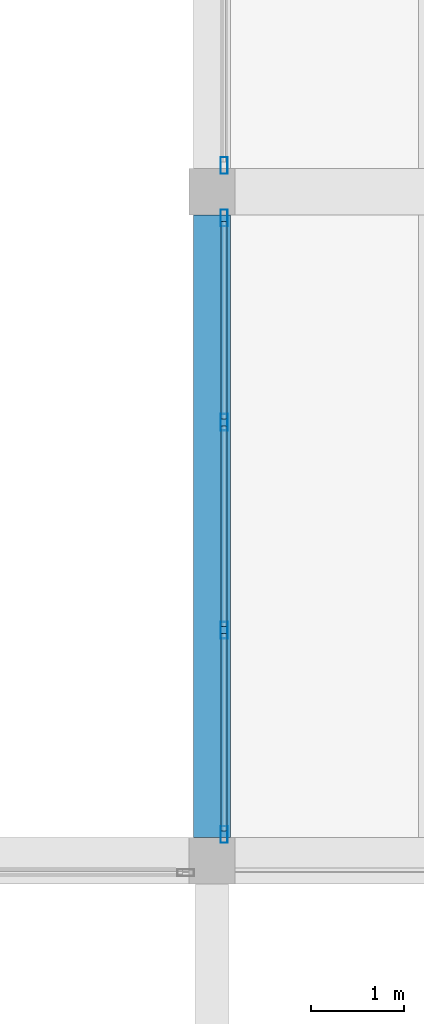
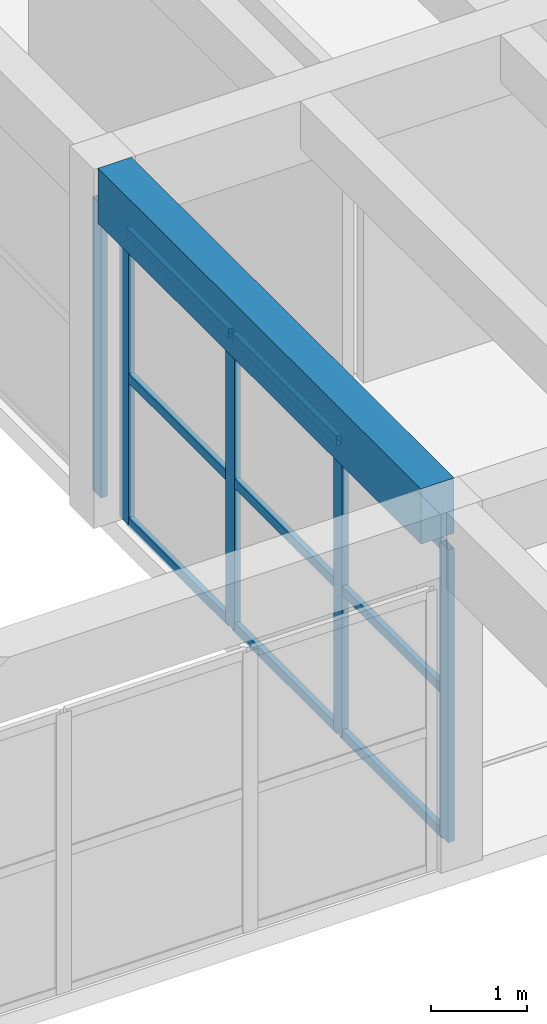
# One storey, part 40 of 153: 14 members, 1 beam, 2 elements without a shape of their own.
"""IFC4 building model written with IfcOpenShell, lengths in metres."""

from ifc_helpers import new_model, si_unit, direction, frame, origin, origin_2d, place, context, subcontext, project, spatial, rectangle, hollow_rectangle, extrude, material, material_profile, profile_set, type_object, element, aggregate, save


model = new_model("IFC4")

# Units and contexts
model_context = context("Model", 3, precision=1e-05, world=origin(), true_north=direction((0.0, 1.0)))
body_context = subcontext(model_context, "Body", "Model", "MODEL_VIEW")
ifc_project = project(units=[si_unit("LENGTHUNIT", "METRE"), si_unit("AREAUNIT", "SQUARE_METRE"), si_unit("VOLUMEUNIT", "CUBIC_METRE"), si_unit("PLANEANGLEUNIT", "RADIAN"), si_unit("MASSUNIT", "GRAM", prefix="KILO")], contexts=[model_context])

# Site, building, storey
site_placement = place(None, origin())
site = spatial("IfcSite", under=ifc_project, at=site_placement, CompositionType="ELEMENT")
building_placement = place(site_placement, origin())
building = spatial("IfcBuilding", under=site, at=building_placement, Name="Bramvelor Terrace Health Centre", CompositionType="ELEMENT")
storey_placement = place(building_placement, frame((0.0, 0.0, 4.800048828125)))
storey = spatial("IfcBuildingStorey", under=building, at=storey_placement, Name="L02", CompositionType="ELEMENT", Elevation=4.800048828125)

# Beam
ifc_material_1 = material(Name="Concrete C40/50", Category="concrete")
ifc_material_profile_1 = material_profile(ifc_material_1, rectangle(XDim=0.39990234375, YDim=0.699951171875, at=origin_2d()), Name="RC 400x700")
ifc_profile_set_1 = profile_set([ifc_material_profile_1], Name="Concrete C40/50")
beam_type = type_object("IfcBeamType", Name="BM-RC-G700", PredefinedType="BEAM", material=ifc_profile_set_1)
beam_placement = place(storey_placement, frame((79.199951171875, 50.64990234375, 4.199951171875), z_axis=(0.0, 1.0, 0.0), x_axis=(-1.0, 0.0, 0.0)))
element("IfcBeam", 1, at=beam_placement, inside=storey, type_object=beam_type, Name="L02 Floor Girder", PredefinedType="BEAM", context=body_context, shape_type="SweptSolid", body=[
    extrude(rectangle(XDim=0.39990234375, YDim=0.699951171875, at=origin_2d()), origin(), (0.0, 0.0, 1.0), 6.7001953125),
])

# Curtain wall, members
ifc_material_2 = material(Name="Anodized aluminium and double low-E glass", Category="aluminium")
curtain_wall_type = type_object("IfcCurtainWallType", Name="CW-SYS-17", PredefinedType="NOTDEFINED", material=ifc_material_2)
curtain_wall_1_placement = place(storey_placement, origin())
curtain_wall_1 = element("IfcCurtainWall", 2, at=curtain_wall_1_placement, inside=storey, type_object=curtain_wall_type, Name="L02 Unitized Curtain Wall 138", PredefinedType="NOTDEFINED")
ifc_material_3 = material(Name="Anodized aluminium 6063-T6", Category="aluminium")
ifc_material_profile_2 = material_profile(ifc_material_3, hollow_rectangle(XDim=0.074951171875, YDim=0.179931640625, WallThickness=0.00341796875, at=origin_2d()), Name="ALU-MUL 75x180x3.5")
ifc_profile_set_2 = profile_set([ifc_material_profile_2], Name="Anodized aluminium 6063-T6")
member_type_1 = type_object("IfcMemberType", Name="CW-MUL-65x180", PredefinedType="MULLION", material=ifc_profile_set_2)
member_1_placement = place(storey_placement, frame((79.330078125, 50.6826171875, 0.0), z_axis=(0.0, 0.0, 1.0), x_axis=(-1.0, 0.0, 0.0)))
member_1 = element("IfcMember", 3, at=member_1_placement, type_object=member_type_1, Name="CW-17 mullion 1", PredefinedType="MULLION", context=body_context, shape_type="SweptSolid", body=[
    extrude(hollow_rectangle(XDim=0.074951171875, YDim=0.179931640625, WallThickness=0.00341796875, at=origin_2d()), origin(), (0.0, 0.0, 1.0), 3.7099609375),
])
member_2_placement = place(storey_placement, frame((79.330078125, 52.881591796875, 0.0), z_axis=(0.0, 0.0, 1.0), x_axis=(-1.0, 0.0, 0.0)))
member_2 = element("IfcMember", 4, at=member_2_placement, type_object=member_type_1, Name="CW-17 mullion 2", PredefinedType="MULLION", context=body_context, shape_type="SweptSolid", body=[
    extrude(hollow_rectangle(XDim=0.074951171875, YDim=0.179931640625, WallThickness=0.00341796875, at=origin_2d()), origin(), (0.0, 0.0, 1.0), 3.7099609375),
])
member_3_placement = place(storey_placement, frame((79.330078125, 55.118408203125, 0.0), z_axis=(0.0, 0.0, 1.0), x_axis=(-1.0, 0.0, 0.0)))
member_3 = element("IfcMember", 5, at=member_3_placement, type_object=member_type_1, Name="CW-17 mullion 3", PredefinedType="MULLION", context=body_context, shape_type="SweptSolid", body=[
    extrude(hollow_rectangle(XDim=0.074951171875, YDim=0.179931640625, WallThickness=0.00341796875, at=origin_2d()), origin(), (0.0, 0.0, 1.0), 3.7099609375),
])
member_4_placement = place(storey_placement, frame((79.330078125, 57.3173828125, 0.0), z_axis=(0.0, 0.0, 1.0), x_axis=(-1.0, 0.0, 0.0)))
member_4 = element("IfcMember", 6, at=member_4_placement, type_object=member_type_1, Name="CW-17 mullion 4", PredefinedType="MULLION", context=body_context, shape_type="SweptSolid", body=[
    extrude(hollow_rectangle(XDim=0.074951171875, YDim=0.179931640625, WallThickness=0.00341796875, at=origin_2d()), origin(), (0.0, 0.0, 1.0), 3.7099609375),
])

# Curtain wall, member
curtain_wall_2_placement = place(storey_placement, origin())
curtain_wall_2 = element("IfcCurtainWall", 7, at=curtain_wall_2_placement, inside=storey, type_object=curtain_wall_type, Name="L02 Unitized Curtain Wall 139", PredefinedType="NOTDEFINED")
member_5_placement = place(storey_placement, frame((79.330078125, 57.882568359375, 0.0), z_axis=(0.0, 0.0, 1.0), x_axis=(-1.0, 0.0, 0.0)))
member_5 = element("IfcMember", 8, at=member_5_placement, type_object=member_type_1, Name="CW-17 mullion 1", PredefinedType="MULLION", context=body_context, shape_type="SweptSolid", body=[
    extrude(hollow_rectangle(XDim=0.074951171875, YDim=0.179931640625, WallThickness=0.00341796875, at=origin_2d()), origin(), (0.0, 0.0, 1.0), 3.7099609375),
])
aggregate(curtain_wall_2, [member_5])

# Member
ifc_material_4 = material(Name="Anodized aluminium 6063-T6", Category="aluminium")
ifc_material_profile_3 = material_profile(ifc_material_4, hollow_rectangle(XDim=0.06494140625, YDim=0.1201171875, WallThickness=0.0029296875, at=origin_2d()), Name="ALU-TRN 65x120x3.0")
ifc_profile_set_3 = profile_set([ifc_material_profile_3], Name="Anodized aluminium 6063-T6")
member_type_2 = type_object("IfcMemberType", Name="CW-TRN-65x150", PredefinedType="USERDEFINED", material=ifc_profile_set_3)
member_6_placement = place(storey_placement, frame((79.330078125, 50.719970703125, 0.032470703125), z_axis=(0.0, 1.0, 0.0), x_axis=(-1.0, 0.0, 0.0)))
member_6 = element("IfcMember", 9, at=member_6_placement, type_object=member_type_2, Name="CW-17 transom 1.1", ObjectType="TRANSOM", PredefinedType="USERDEFINED", context=body_context, shape_type="SweptSolid", body=[
    extrude(hollow_rectangle(XDim=0.06494140625, YDim=0.1201171875, WallThickness=0.0029296875, at=origin_2d()), origin(), (0.0, 0.0, 1.0), 2.124267578125),
])

member_7_placement = place(storey_placement, frame((79.330078125, 50.719970703125, 1.85498046875), z_axis=(0.0, 1.0, 0.0), x_axis=(-1.0, 0.0, 0.0)))
member_7 = element("IfcMember", 10, at=member_7_placement, type_object=member_type_2, Name="CW-17 transom 1.2", ObjectType="TRANSOM", PredefinedType="USERDEFINED", context=body_context, shape_type="SweptSolid", body=[
    extrude(hollow_rectangle(XDim=0.06494140625, YDim=0.1201171875, WallThickness=0.0029296875, at=origin_2d()), origin(), (0.0, 0.0, 1.0), 2.124267578125),
])

member_8_placement = place(storey_placement, frame((79.330078125, 50.719970703125, 3.677490234375), z_axis=(0.0, 1.0, 0.0), x_axis=(-1.0, 0.0, 0.0)))
member_8 = element("IfcMember", 11, at=member_8_placement, type_object=member_type_2, Name="CW-17 transom 1.3", ObjectType="TRANSOM", PredefinedType="USERDEFINED", context=body_context, shape_type="SweptSolid", body=[
    extrude(hollow_rectangle(XDim=0.06494140625, YDim=0.1201171875, WallThickness=0.0029296875, at=origin_2d()), origin(), (0.0, 0.0, 1.0), 2.124267578125),
])

member_9_placement = place(storey_placement, frame((79.330078125, 52.919189453125, 0.032470703125), z_axis=(0.0, 1.0, 0.0), x_axis=(-1.0, 0.0, 0.0)))
member_9 = element("IfcMember", 12, at=member_9_placement, type_object=member_type_2, Name="CW-17 transom 2.1", ObjectType="TRANSOM", PredefinedType="USERDEFINED", context=body_context, shape_type="SweptSolid", body=[
    extrude(hollow_rectangle(XDim=0.06494140625, YDim=0.1201171875, WallThickness=0.0029296875, at=origin_2d()), origin(), (0.0, 0.0, 1.0), 2.16162109375),
])

member_10_placement = place(storey_placement, frame((79.330078125, 52.919189453125, 1.85498046875), z_axis=(0.0, 1.0, 0.0), x_axis=(-1.0, 0.0, 0.0)))
member_10 = element("IfcMember", 13, at=member_10_placement, type_object=member_type_2, Name="CW-17 transom 2.2", ObjectType="TRANSOM", PredefinedType="USERDEFINED", context=body_context, shape_type="SweptSolid", body=[
    extrude(hollow_rectangle(XDim=0.06494140625, YDim=0.1201171875, WallThickness=0.0029296875, at=origin_2d()), origin(), (0.0, 0.0, 1.0), 2.16162109375),
])

member_11_placement = place(storey_placement, frame((79.330078125, 52.919189453125, 3.677490234375), z_axis=(0.0, 1.0, 0.0), x_axis=(-1.0, 0.0, 0.0)))
member_11 = element("IfcMember", 14, at=member_11_placement, type_object=member_type_2, Name="CW-17 transom 2.3", ObjectType="TRANSOM", PredefinedType="USERDEFINED", context=body_context, shape_type="SweptSolid", body=[
    extrude(hollow_rectangle(XDim=0.06494140625, YDim=0.1201171875, WallThickness=0.0029296875, at=origin_2d()), origin(), (0.0, 0.0, 1.0), 2.16162109375),
])

member_12_placement = place(storey_placement, frame((79.330078125, 55.15576171875, 0.032470703125), z_axis=(0.0, 1.0, 0.0), x_axis=(-1.0, 0.0, 0.0)))
member_12 = element("IfcMember", 15, at=member_12_placement, type_object=member_type_2, Name="CW-17 transom 3.1", ObjectType="TRANSOM", PredefinedType="USERDEFINED", context=body_context, shape_type="SweptSolid", body=[
    extrude(hollow_rectangle(XDim=0.06494140625, YDim=0.1201171875, WallThickness=0.0029296875, at=origin_2d()), origin(), (0.0, 0.0, 1.0), 2.124267578125),
])

member_13_placement = place(storey_placement, frame((79.330078125, 55.15576171875, 1.85498046875), z_axis=(0.0, 1.0, 0.0), x_axis=(-1.0, 0.0, 0.0)))
member_13 = element("IfcMember", 16, at=member_13_placement, type_object=member_type_2, Name="CW-17 transom 3.2", ObjectType="TRANSOM", PredefinedType="USERDEFINED", context=body_context, shape_type="SweptSolid", body=[
    extrude(hollow_rectangle(XDim=0.06494140625, YDim=0.1201171875, WallThickness=0.0029296875, at=origin_2d()), origin(), (0.0, 0.0, 1.0), 2.124267578125),
])

member_14_placement = place(storey_placement, frame((79.330078125, 55.15576171875, 3.677490234375), z_axis=(0.0, 1.0, 0.0), x_axis=(-1.0, 0.0, 0.0)))
member_14 = element("IfcMember", 17, at=member_14_placement, type_object=member_type_2, Name="CW-17 transom 3.3", ObjectType="TRANSOM", PredefinedType="USERDEFINED", context=body_context, shape_type="SweptSolid", body=[
    extrude(hollow_rectangle(XDim=0.06494140625, YDim=0.1201171875, WallThickness=0.0029296875, at=origin_2d()), origin(), (0.0, 0.0, 1.0), 2.124267578125),
])

aggregate(curtain_wall_1, [member_1, member_2, member_3, member_4, member_6, member_7, member_8, member_9, member_10, member_11, member_12, member_13, member_14])

save(model, "model.ifc")
